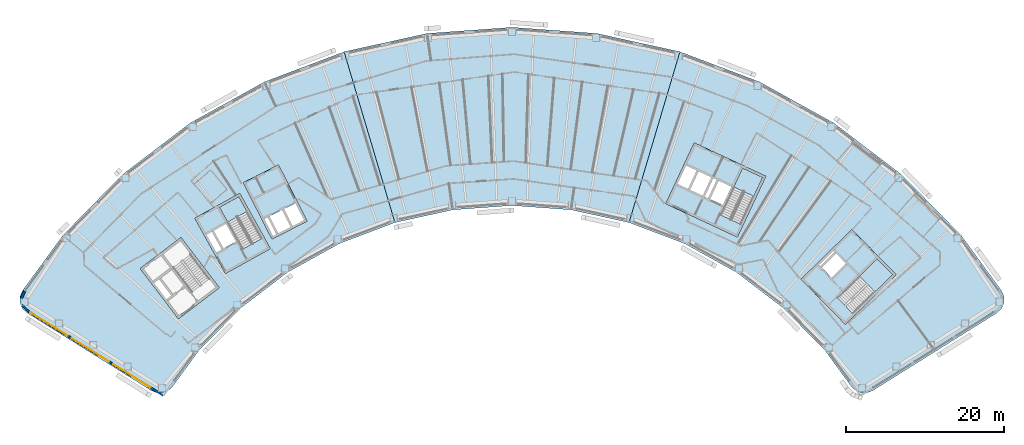
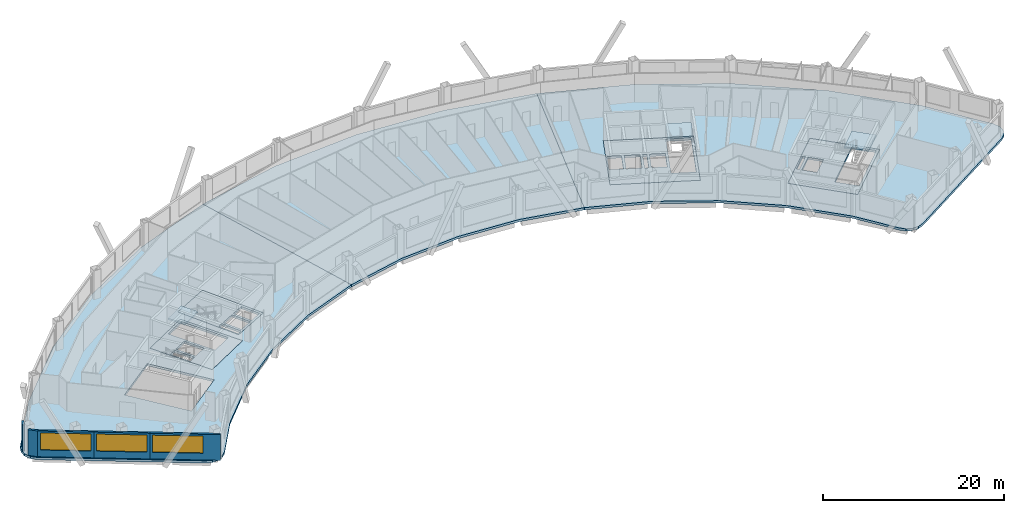
# One storey, part 4 of 14: 10 slabs, 5 walls, 3 windows, 3 openings, 3 elements without a shape of their own.
"""IFC4 building model written with IfcOpenShell, lengths in metres."""

from ifc_helpers import new_model, si_unit, direction, frame, frame_2d, origin, place, context, subcontext, project, spatial, polyline, rectangle, outline, extrude, material, layer, layer_set, type_object, element, fill, aggregate, save


model = new_model("IFC4")

# Units and contexts
model_context = context("Model", 3, precision=1e-05, world=origin(), true_north=direction((0.0, 1.0)))
body_context = subcontext(model_context, "Body", "Model", "MODEL_VIEW")
ifc_project = project(units=[si_unit("LENGTHUNIT", "METRE"), si_unit("AREAUNIT", "SQUARE_METRE"), si_unit("VOLUMEUNIT", "CUBIC_METRE"), si_unit("PLANEANGLEUNIT", "RADIAN"), si_unit("MASSUNIT", "GRAM", prefix="KILO")], contexts=[model_context])

# Site, building, storey
site_placement = place(None, origin())
site = spatial("IfcSite", under=ifc_project, at=site_placement, CompositionType="ELEMENT")
building_placement = place(site_placement, origin())
building = spatial("IfcBuilding", under=site, at=building_placement, Name="Tuul Gate Civic Tower", CompositionType="ELEMENT")
storey_placement = place(building_placement, frame((0.0, 0.0, 217.89990234375)))
storey = spatial("IfcBuildingStorey", under=building, at=storey_placement, Name="Level 49", CompositionType="ELEMENT", Elevation=217.89990234375)

# Slabs
ifc_material_1 = material(Name="Concrete C40/50", Category="concrete")
ifc_layer_1 = layer(ifc_material_1, 0.300048828125)
ifc_layer_set_1 = layer_set([ifc_layer_1], Name="Concrete C40/50")
slab_type_1 = type_object("IfcSlabType", Name="Core floor slab 300", PredefinedType="FLOOR", material=ifc_layer_set_1)
slab_1_placement = place(storey_placement, frame((0.0, 0.0, -0.2998046875)))
element("IfcSlab", 1, at=slab_1_placement, inside=storey, type_object=slab_type_1, Name="FLOOR SLAB", PredefinedType="FLOOR", context=body_context, shape_type="SweptSolid", body=[
    extrude(outline(polyline([(-24.638916015625, -8.846923828125), (-28.51708984375, -1.849853515625), (-34.2021484375, -5.0009765625), (-30.32421875, -11.998046875), (-24.638916015625, -8.846923828125)]), holes=[polyline([(-29.0185546875, -7.958740234375), (-30.254638671875, -5.728515625), (-31.785400390625, -6.576904296875), (-30.54931640625, -8.80712890625), (-29.0185546875, -7.958740234375)]), polyline([(-30.8115234375, -8.95263671875), (-32.047607421875, -6.72216796875), (-32.8349609375, -7.158447265625), (-31.5986328125, -9.388916015625), (-30.8115234375, -8.95263671875)]), polyline([(-25.702392578125, -7.548828125), (-28.14990234375, -8.905517578125), (-31.08203125, -3.615234375), (-28.63427734375, -2.2587890625), (-25.702392578125, -7.548828125)])]), origin(), (0.0, 0.0, 1.0), 0.2998046875),
])
slab_2_placement = place(storey_placement, frame((0.0, 0.0, -0.2998046875)))
element("IfcSlab", 2, at=slab_2_placement, inside=storey, type_object=slab_type_1, Name="FLOOR SLAB", PredefinedType="FLOOR", context=body_context, shape_type="SweptSolid", body=[
    extrude(outline(polyline([(48.117919921875, -18.43310546875), (54.545166015625, -12.1328125), (48.945068359375, -6.419921875), (42.517822265625, -12.719970703125), (48.117919921875, -18.43310546875)]), holes=[polyline([(46.373779296875, -12.510986328125), (48.19482421875, -10.725830078125), (46.969970703125, -9.47607421875), (45.14892578125, -11.26123046875), (46.373779296875, -12.510986328125)]), polyline([(44.93896484375, -11.046875), (46.760009765625, -9.261962890625), (46.514892578125, -9.011962890625), (44.69384765625, -10.797119140625), (44.93896484375, -11.046875)]), polyline([(49.086181640625, -17.062744140625), (47.12744140625, -15.064208984375), (52.160888671875, -10.130126953125), (54.11962890625, -12.128662109375), (49.086181640625, -17.062744140625)])]), origin(), (0.0, 0.0, 1.0), 0.2998046875),
])
slab_3_placement = place(storey_placement, frame((0.0, 0.0, -0.2998046875)))
element("IfcSlab", 3, at=slab_3_placement, inside=storey, type_object=slab_type_1, Name="FLOOR SLAB", PredefinedType="FLOOR", context=body_context, shape_type="SweptSolid", body=[
    extrude(outline(polyline([(34.465087890625, -7.385986328125), (38.056884765625, 0.31787109375), (28.993896484375, 4.543701171875), (25.40185546875, -3.159912109375), (34.465087890625, -7.385986328125)]), holes=[polyline([(32.60888671875, -3.32080078125), (33.6865234375, -1.009765625), (32.1005859375, -0.27001953125), (31.02294921875, -2.581298828125), (32.60888671875, -3.32080078125)]), polyline([(30.0712890625, -2.137451171875), (31.14892578125, 0.173583984375), (29.562744140625, 0.9130859375), (28.4853515625, -1.39794921875), (30.0712890625, -2.137451171875)]), polyline([(30.751220703125, -2.454345703125), (31.82861328125, -0.143310546875), (31.4208984375, 0.046875), (30.34326171875, -2.264404296875), (30.751220703125, -2.454345703125)]), polyline([(28.21337890625, -1.27099609375), (29.291015625, 1.0400390625), (27.8408203125, 1.71630859375), (26.76318359375, -0.594970703125), (28.21337890625, -1.27099609375)]), polyline([(34.889892578125, -5.7626953125), (32.353759765625, -4.580078125), (35.120849609375, 1.354736328125), (37.6572265625, 0.17236328125), (34.889892578125, -5.7626953125)])]), origin(), (0.0, 0.0, 1.0), 0.2998046875),
])
ifc_material_2 = material(Name="Concrete C40/50", Category="concrete")
ifc_layer_2 = layer(ifc_material_2, 0.300048828125)
ifc_layer_set_2 = layer_set([ifc_layer_2], Name="Concrete C40/50")
slab_type_2 = type_object("IfcSlabType", Name="Core floor slab 300 non-bearing", PredefinedType="FLOOR", material=ifc_layer_set_2)
slab_4_placement = place(storey_placement, frame((0.0, 0.0, -0.2998046875)))
element("IfcSlab", 4, at=slab_4_placement, inside=storey, type_object=slab_type_2, Name="FLOOR SLAB", PredefinedType="FLOOR", context=body_context, shape_type="SweptSolid", body=[
    extrude(outline(polyline([(-19.98095703125, -5.365966796875), (-23.613037109375, 1.761962890625), (-28.068115234375, -0.508056640625), (-24.43603515625, -7.635986328125), (-19.98095703125, -5.365966796875)]), holes=[polyline([(-20.384521484375, -5.23486328125), (-21.47412109375, -3.096435546875), (-22.899658203125, -3.822998046875), (-21.81005859375, -5.961181640625), (-20.384521484375, -5.23486328125)]), polyline([(-22.077392578125, -6.097412109375), (-23.1669921875, -3.958984375), (-24.726318359375, -4.753662109375), (-23.63671875, -6.89208984375), (-22.077392578125, -6.097412109375)]), polyline([(-23.8359375, -7.161865234375), (-24.99365234375, -4.889892578125), (-25.5283203125, -5.162109375), (-24.37060546875, -7.434326171875), (-23.8359375, -7.161865234375)])]), origin(), (0.0, 0.0, 1.0), 0.2998046875),
])

# Stair, slab
ifc_material_3 = material(Name="Concrete C40/50", Category="concrete")
stair_type = type_object("IfcStairType", Name="Exit stair", PredefinedType="HALF_TURN_STAIR", material=ifc_material_3)
stair_1_placement = place(storey_placement, origin())
stair_1 = element("IfcStair", 5, at=stair_1_placement, inside=storey, type_object=stair_type, Name="Level 49 ST-2", PredefinedType="HALF_TURN_STAIR")
ifc_material_4 = material(Name="Concrete C40/50", Category="concrete")
ifc_layer_3 = layer(ifc_material_4, 0.199951171875)
ifc_layer_set_3 = layer_set([ifc_layer_3], Name="Concrete C40/50")
slab_type_3 = type_object("IfcSlabType", Name="Exit stair landing", PredefinedType="LANDING", material=ifc_layer_set_3)
slab_5_placement = place(storey_placement, frame((0.0, 0.0, 1.900146484375)))
slab_5 = element("IfcSlab", 6, at=slab_5_placement, type_object=slab_type_3, Name="ST-2 landing 1", PredefinedType="LANDING", context=body_context, shape_type="SweptSolid", body=[
    extrude(outline(polyline([(-27.5908203125, -4.138427734375), (-30.041015625, -5.49658203125), (-31.084228515625, -3.61474609375), (-28.6337890625, -2.256591796875), (-27.5908203125, -4.138427734375)])), origin(), (0.0, 0.0, 1.0), 0.199951171875),
])
aggregate(stair_1, [slab_5])

stair_2_placement = place(storey_placement, origin())
stair_2 = element("IfcStair", 7, at=stair_2_placement, inside=storey, type_object=stair_type, Name="Level 49 ST-3", PredefinedType="HALF_TURN_STAIR")
slab_6_placement = place(storey_placement, frame((0.0, 0.0, 1.900146484375)))
slab_6 = element("IfcSlab", 8, at=slab_6_placement, type_object=slab_type_3, Name="ST-3 landing 1", PredefinedType="LANDING", context=body_context, shape_type="SweptSolid", body=[
    extrude(outline(polyline([(51.871337890625, -14.3349609375), (49.91015625, -12.334228515625), (52.160888671875, -10.1279296875), (54.1220703125, -12.128662109375), (51.871337890625, -14.3349609375)])), origin(), (0.0, 0.0, 1.0), 0.199951171875),
])
aggregate(stair_2, [slab_6])

stair_3_placement = place(storey_placement, origin())
stair_3 = element("IfcStair", 9, at=stair_3_placement, inside=storey, type_object=stair_type, Name="Level 49 ST-4", PredefinedType="HALF_TURN_STAIR")
slab_7_placement = place(storey_placement, frame((0.0, 0.0, 1.900146484375)))
slab_7 = element("IfcSlab", 10, at=slab_7_placement, type_object=slab_type_3, Name="ST-4 landing 1", PredefinedType="LANDING", context=body_context, shape_type="SweptSolid", body=[
    extrude(outline(polyline([(36.538818359375, -2.230224609375), (33.999755859375, -1.046142578125), (35.1201171875, 1.35693359375), (37.659423828125, 0.173095703125), (36.538818359375, -2.230224609375)])), origin(), (0.0, 0.0, 1.0), 0.199951171875),
])
aggregate(stair_3, [slab_7])

# Slabs
ifc_material_5 = material(Name="Concrete C35/45", Category="concrete")
ifc_layer_4 = layer(ifc_material_5, 0.300048828125)
ifc_layer_set_4 = layer_set([ifc_layer_4], Name="Concrete C35/45")
slab_type_4 = type_object("IfcSlabType", Name="STR-FLOOR-SLAB-300", PredefinedType="FLOOR", material=ifc_layer_set_4)
slab_8_placement = place(storey_placement, frame((0.0, 0.0, -0.2998046875)))
element("IfcSlab", 11, at=slab_8_placement, inside=storey, type_object=slab_type_4, Name="Level 49/slab/W", PredefinedType="FLOOR", context=body_context, shape_type="SweptSolid", body=[
    extrude(outline(polyline([(-15.89404296875, -8.2041015625), (-8.875, -5.549072265625), (-15.30908203125, 16.072998046875), (-25.376953125, 12.264892578125), (-34.7919921875, 7.0458984375), (-43.35595703125, 0.52587890625), (-50.89111328125, -7.160888671875), (-55.971923828125, -14.117919921875), (-56.30810546875, -14.861083984375), (-56.320068359375, -15.677001953125), (-56.006103515625, -16.428955078125), (-55.416015625, -16.992919921875), (-39.68603515625, -26.822998046875), (-38.991943359375, -27.093017578125), (-38.2470703125, -27.090087890625), (-37.554931640625, -26.81494140625), (-37.011962890625, -26.305908203125), (-33.681884765625, -21.748046875), (-28.428955078125, -16.388916015625), (-22.4580078125, -11.842041015625), (-15.89404296875, -8.2041015625)]), holes=[polyline([(-31.10009765625, -13.7890625), (-36.27197265625, -17.72705078125), (-41.117919921875, -11.362060546875), (-35.946044921875, -7.424072265625), (-31.10009765625, -13.7890625)]), polyline([(-24.638916015625, -8.846923828125), (-30.323974609375, -11.998046875), (-34.201904296875, -5.0009765625), (-28.51708984375, -1.85009765625), (-24.638916015625, -8.846923828125)]), polyline([(-24.43603515625, -7.635986328125), (-28.068115234375, -0.508056640625), (-23.613037109375, 1.761962890625), (-19.98095703125, -5.365966796875), (-24.43603515625, -7.635986328125)])]), origin(), (0.0, 0.0, 1.0), 0.2998046875),
])
slab_9_placement = place(storey_placement, frame((0.0, 0.0, -0.2998046875)))
element("IfcSlab", 12, at=slab_9_placement, inside=storey, type_object=slab_type_4, Name="Level 49/slab/M", PredefinedType="FLOOR", context=body_context, shape_type="SweptSolid", body=[
    extrude(outline(polyline([(13.425048828125, -3.93408203125), (20.75390625, -5.549072265625), (27.18798828125, 16.072998046875), (16.676025390625, 18.388916015625), (5.93994140625, 19.1669921875), (-4.7958984375, 18.388916015625), (-15.30810546875, 16.072998046875), (-15.30908203125, 16.072998046875), (-8.875, -5.549072265625), (-8.8740234375, -5.549072265625), (-1.544921875, -3.93408203125), (5.93994140625, -3.39208984375), (13.425048828125, -3.93408203125)])), origin(), (0.0, 0.0, 1.0), 0.2998046875),
])
slab_10_placement = place(storey_placement, frame((0.0, 0.0, -0.2998046875)))
element("IfcSlab", 13, at=slab_10_placement, inside=storey, type_object=slab_type_4, Name="Level 49/slab/E", PredefinedType="FLOOR", context=body_context, shape_type="SweptSolid", body=[
    extrude(outline(polyline([(50.8720703125, -27.093017578125), (51.56591796875, -26.822998046875), (67.2958984375, -16.992919921875), (67.885009765625, -16.428955078125), (68.199951171875, -15.677001953125), (68.18798828125, -14.861083984375), (67.85107421875, -14.117919921875), (62.77099609375, -7.160888671875), (55.235107421875, 0.52587890625), (46.6708984375, 7.0458984375), (37.256103515625, 12.264892578125), (27.18798828125, 16.072998046875), (20.75390625, -5.549072265625), (27.77294921875, -8.2041015625), (34.3369140625, -11.842041015625), (40.30810546875, -16.388916015625), (45.56201171875, -21.748046875), (48.89111328125, -26.305908203125), (49.43505859375, -26.81494140625), (50.126953125, -27.090087890625), (50.8720703125, -27.093017578125)]), holes=[polyline([(48.117919921875, -18.43310546875), (42.51806640625, -12.719970703125), (48.945068359375, -6.419921875), (54.544921875, -12.133056640625), (48.117919921875, -18.43310546875)]), polyline([(25.402099609375, -3.159912109375), (28.993896484375, 4.5439453125), (38.056884765625, 0.318115234375), (34.465087890625, -7.385986328125), (25.402099609375, -3.159912109375)])]), origin(), (0.0, 0.0, 1.0), 0.2998046875),
])

# Walls
ifc_material_6 = material(Name="Precast concrete C40/50", Category="concrete")
ifc_layer_5 = layer(ifc_material_6, 0.25)
ifc_layer_set_5 = layer_set([ifc_layer_5], Name="Precast concrete C40/50")
wall_type = type_object("IfcWallType", Name="External wall", PredefinedType="STANDARD", material=ifc_layer_set_5)
wall_1_placement = place(storey_placement, frame((-55.737060546875, -14.257568359375, 0.0), z_axis=(0.0, 0.0, 1.0), x_axis=(-0.411921142617, -0.911219497303, 0.0)))
element("IfcWall", 14, at=wall_1_placement, inside=storey, type_object=wall_type, Name="External wall", PredefinedType="STANDARD", context=body_context, shape_type="SweptSolid", body=[
    extrude(rectangle(XDim=0.938720703125, YDim=0.25, at=frame_2d((0.46923828125, 0.0))), origin(), (0.0, 0.0, 1.0), 3.4501953125),
])
wall_2_placement = place(storey_placement, frame((-56.046875, -16.012939453125, 0.0), z_axis=(0.0, 0.0, 1.0), x_axis=(0.722218585129, -0.691664886555, 0.0)))
element("IfcWall", 15, at=wall_2_placement, inside=storey, type_object=wall_type, Name="External wall", PredefinedType="STANDARD", context=body_context, shape_type="SweptSolid", body=[
    extrude(rectangle(XDim=1.102783203125, YDim=0.25, at=frame_2d((0.55126953125, 0.0))), origin(), (0.0, 0.0, 1.0), 3.4501953125),
])

# Wall, opening, window
wall_3_placement = place(storey_placement, frame((-55.270751953125, -16.760009765625, 0.0), z_axis=(0.0, 0.0, 1.0), x_axis=(0.848053758074, -0.529910203164, 0.0)))
wall_3 = element("IfcWall", 16, at=wall_3_placement, inside=storey, type_object=wall_type, Name="External wall", PredefinedType="STANDARD", context=body_context, shape_type="SweptSolid", body=[
    extrude(rectangle(XDim=6.182861328125, YDim=0.25, at=frame_2d((3.09130859375, 0.0))), origin(), (0.0, 0.0, 1.0), 3.4501953125),
])
opening_1_placement = place(wall_3_placement, frame((0.31640625, 0.0, 0.89990234375)))
opening_1 = element("IfcOpeningElement", 17, at=opening_1_placement, cuts=wall_3, Name="Opening W24", PredefinedType="OPENING", context=body_context, shape_type="SweptSolid", body=[
    extrude(rectangle(XDim=5.550048828125, YDim=2.300048828125, at=frame_2d((2.77490234375, 1.14990234375))), frame((0.0, 0.135009765625, 0.0), z_axis=(0.0, -1.0, 0.0), x_axis=(1.0, 0.0, 0.0)), (0.0, 0.0, 1.0), 0.27001953125),
])
ifc_material_7 = material(Name="Glass", Category="glass")
window_type = type_object("IfcWindowType", Name="Window W24 5550 x 2300", PartitioningType="SINGLE_PANEL", PredefinedType="WINDOW", material=ifc_material_7)
window_1_placement = place(opening_1_placement, origin())
window_1 = element("IfcWindow", 18, at=window_1_placement, inside=storey, type_object=window_type, Name="Window", OverallHeight=2.300048828125, OverallWidth=5.550048828125, PartitioningType="SINGLE_PANEL", PredefinedType="WINDOW", context=body_context, shape_type="SweptSolid", body=[
    extrude(rectangle(XDim=5.550048828125, YDim=2.300048828125, at=frame_2d((2.77490234375, 1.14990234375))), frame((0.0, 0.030029296875, 0.0), z_axis=(0.0, -1.0, 0.0), x_axis=(1.0, 0.0, 0.0)), (0.0, 0.0, 1.0), 0.06005859375),
])
fill(opening_1, window_1)

wall_4_placement = place(storey_placement, frame((-50.02734375, -20.036376953125, 0.0), z_axis=(0.0, 0.0, 1.0), x_axis=(0.848042669488, -0.529927948619, 0.0)))
wall_4 = element("IfcWall", 19, at=wall_4_placement, inside=storey, type_object=wall_type, Name="External wall", PredefinedType="STANDARD", context=body_context, shape_type="SweptSolid", body=[
    extrude(rectangle(XDim=6.1826171875, YDim=0.25, at=frame_2d((3.09130859375, 0.0))), origin(), (0.0, 0.0, 1.0), 3.4501953125),
])
opening_2_placement = place(wall_4_placement, frame((0.31640625, 0.0, 0.89990234375)))
opening_2 = element("IfcOpeningElement", 20, at=opening_2_placement, cuts=wall_4, Name="Opening W24", PredefinedType="OPENING", context=body_context, shape_type="SweptSolid", body=[
    extrude(rectangle(XDim=5.550048828125, YDim=2.300048828125, at=frame_2d((2.77490234375, 1.14990234375))), frame((0.0, 0.135009765625, 0.0), z_axis=(0.0, -1.0, 0.0), x_axis=(1.0, 0.0, 0.0)), (0.0, 0.0, 1.0), 0.27001953125),
])
window_2_placement = place(opening_2_placement, origin())
window_2 = element("IfcWindow", 21, at=window_2_placement, inside=storey, type_object=window_type, Name="Window", OverallHeight=2.300048828125, OverallWidth=5.550048828125, PartitioningType="SINGLE_PANEL", PredefinedType="WINDOW", context=body_context, shape_type="SweptSolid", body=[
    extrude(rectangle(XDim=5.550048828125, YDim=2.300048828125, at=frame_2d((2.77490234375, 1.14990234375))), frame((0.0, 0.030029296875, 0.0), z_axis=(0.0, -1.0, 0.0), x_axis=(1.0, 0.0, 0.0)), (0.0, 0.0, 1.0), 0.06005859375),
])
fill(opening_2, window_2)

wall_5_placement = place(storey_placement, frame((-44.7841796875, -23.312744140625, 0.0), z_axis=(0.0, 0.0, 1.0), x_axis=(0.848066986554, -0.529889032078, 0.0)))
wall_5 = element("IfcWall", 22, at=wall_5_placement, inside=storey, type_object=wall_type, Name="External wall", PredefinedType="STANDARD", context=body_context, shape_type="SweptSolid", body=[
    extrude(rectangle(XDim=7.787353515625, YDim=0.25, at=frame_2d((3.8935546875, 0.0))), origin(), (0.0, 0.0, 1.0), 3.4501953125),
])
opening_3_placement = place(wall_5_placement, frame((0.31640625, 0.0, 0.89990234375)))
opening_3 = element("IfcOpeningElement", 23, at=opening_3_placement, cuts=wall_5, Name="Opening W24", PredefinedType="OPENING", context=body_context, shape_type="SweptSolid", body=[
    extrude(rectangle(XDim=5.550048828125, YDim=2.300048828125, at=frame_2d((2.77490234375, 1.14990234375))), frame((0.0, 0.135009765625, 0.0), z_axis=(0.0, -1.0, 0.0), x_axis=(1.0, 0.0, 0.0)), (0.0, 0.0, 1.0), 0.27001953125),
])
window_3_placement = place(opening_3_placement, origin())
window_3 = element("IfcWindow", 24, at=window_3_placement, inside=storey, type_object=window_type, Name="Window", OverallHeight=2.300048828125, OverallWidth=5.550048828125, PartitioningType="SINGLE_PANEL", PredefinedType="WINDOW", context=body_context, shape_type="SweptSolid", body=[
    extrude(rectangle(XDim=5.550048828125, YDim=2.300048828125, at=frame_2d((2.77490234375, 1.14990234375))), frame((0.0, 0.030029296875, 0.0), z_axis=(0.0, -1.0, 0.0), x_axis=(1.0, 0.0, 0.0)), (0.0, 0.0, 1.0), 0.06005859375),
])
fill(opening_3, window_3)

save(model, "model.ifc")
